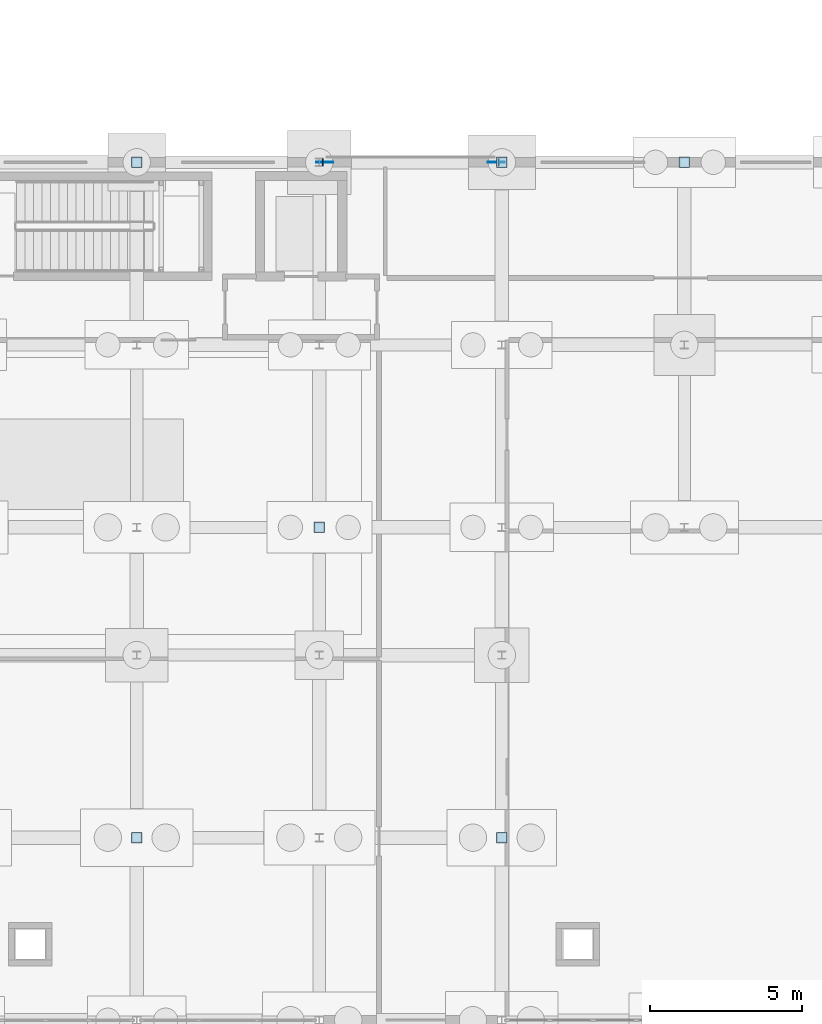
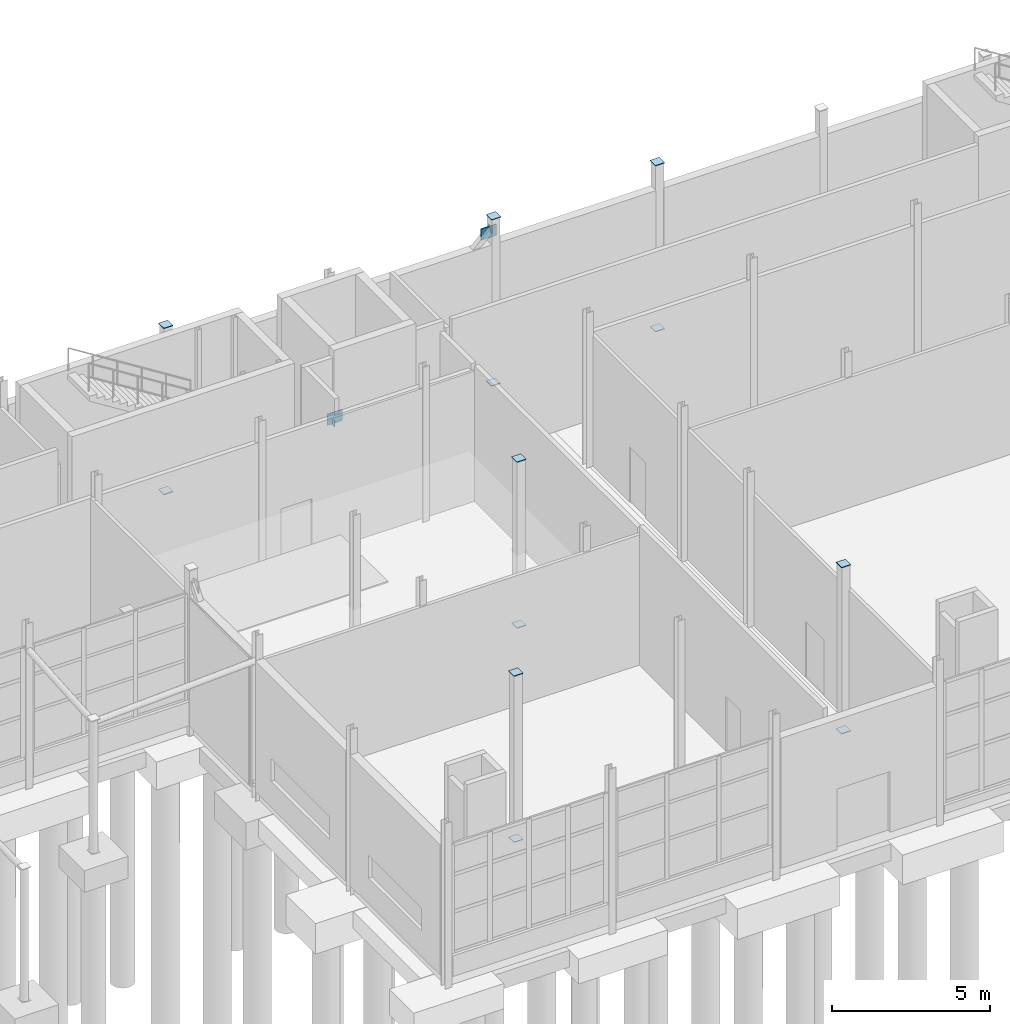
# One storey, part 88 of 120: 16 plates.
"""IFC4 building model written with IfcOpenShell, lengths in metres."""

from ifc_helpers import new_model, si_unit, direction, frame, origin, origin_2d, place, context, subcontext, project, spatial, rectangle, extrude, material, layer, layer_set, type_object, element, save


model = new_model("IFC4")

# Units and contexts
model_context = context("Model", 3, precision=1e-05, world=origin(), true_north=direction((0.0, 1.0)))
body_context = subcontext(model_context, "Body", "Model", "MODEL_VIEW")
ifc_project = project(units=[si_unit("LENGTHUNIT", "METRE"), si_unit("AREAUNIT", "SQUARE_METRE"), si_unit("VOLUMEUNIT", "CUBIC_METRE"), si_unit("PLANEANGLEUNIT", "RADIAN"), si_unit("MASSUNIT", "GRAM", prefix="KILO")], contexts=[model_context])

# Site, building, storey
site_placement = place(None, origin())
site = spatial("IfcSite", under=ifc_project, at=site_placement, CompositionType="ELEMENT")
building_placement = place(site_placement, origin())
building = spatial("IfcBuilding", under=site, at=building_placement, Name="Siltcreek Boulevard Central Fire Station", CompositionType="ELEMENT")
storey_placement = place(building_placement, origin())
storey = spatial("IfcBuildingStorey", under=building, at=storey_placement, Name="L01", CompositionType="ELEMENT", Elevation=0.0)

# Plates
ifc_material = material(Name="Structural steel ASTM A572 Gr50", Category="steel")
ifc_layer_1 = layer(ifc_material, 0.02490234375, Name="Structural steel ASTM A572 Gr50")
ifc_layer_set_1 = layer_set([ifc_layer_1], Name="Structural steel ASTM A572 Gr50")
plate_type_1 = type_object("IfcPlateType", Name="PL_CAP25", PredefinedType="USERDEFINED", material=ifc_layer_set_1)
for number, where, z_axis, x_axis, name in (
    (1, (130.199951171875, 7.800048828125, -0.432861328125), (0.0, 0.0, 1.0), (1.0, 0.0, 0.0), "L01 structural column COLG-L01-1302-78 sealed end cap 1"),
    (2, (130.199951171875, 7.800048828125, 5.998046875), (0.0, 0.0, 1.0), (1.0, 0.0, 0.0), "L01 structural column COLG-L01-1302-78 sealed end cap 2"),
    (3, (130.199951171875, 30.0, -0.432861328125), (0.0, 0.0, 1.0), (1.0, 0.0, 0.0), "L01 structural column COLG-L01-1302-300 sealed end cap 1"),
    (4, (130.199951171875, 30.0, 5.998046875), (0.0, 0.0, 1.0), (1.0, 0.0, 0.0), "L01 structural column COLG-L01-1302-300 sealed end cap 2"),
    (5, (136.199951171875, 18.0, -0.432861328125), (0.0, 0.0, 1.0), (1.0, 0.0, 0.0), "L01 structural column COLG-L01-1362-180 sealed end cap 1"),
    (6, (136.199951171875, 18.0, 5.998046875), (0.0, 0.0, 1.0), (1.0, 0.0, 0.0), "L01 structural column COLG-L01-1362-180 sealed end cap 2"),
    (7, (142.199951171875, 7.800048828125, -0.432861328125), (0.0, 0.0, 1.0), (1.0, 0.0, 0.0), "L01 structural column COLG-L01-1422-78 sealed end cap 1"),
    (8, (142.199951171875, 7.800048828125, 5.998046875), (0.0, 0.0, 1.0), (1.0, 0.0, 0.0), "L01 structural column COLG-L01-1422-78 sealed end cap 2"),
    (9, (142.199951171875, 30.0, -0.432861328125), (0.0, 0.0, 1.0), (1.0, 0.0, 0.0), "L01 structural column COLG-L01-1422-300 sealed end cap 1"),
    (10, (142.199951171875, 30.0, 5.998046875), (0.0, 0.0, 1.0), (1.0, 0.0, 0.0), "L01 structural column COLG-L01-1422-300 sealed end cap 2"),
    (11, (148.199951171875, 30.0, -0.432861328125), (0.0, 0.0, 1.0), (1.0, 0.0, 0.0), "L01 structural column COLG-L01-1482-300 sealed end cap 1"),
    (12, (148.199951171875, 30.0, 5.998046875), (0.0, 0.0, 1.0), (1.0, 0.0, 0.0), "L01 structural column COLG-L01-1482-300 sealed end cap 2"),
):
    element("IfcPlate", number, at=place(storey_placement, frame(where, z_axis=z_axis, x_axis=x_axis)), inside=storey, type_object=plate_type_1, Name=name, ObjectType="END CAP", PredefinedType="USERDEFINED", context=body_context, shape_type="SweptSolid", body=[
        extrude(rectangle(XDim=0.340087890625, YDim=0.340087890625, at=origin_2d()), origin(), (0.0, 0.0, 1.0), 0.02490234375),
    ])
for number, where, z_axis, x_axis, name in (
    (13, (136.3125, 30.0, -0.02734375), (0.0, 0.0, 1.0), (1.0, 0.0, 0.0), "L01 buckling-restrained brace BR-039 sealed end cap 1"),
    (14, (142.087646484375, 30.0, 5.43701171875), (0.0, 0.0, 1.0), (1.0, 0.0, 0.0), "L01 buckling-restrained brace BR-039 sealed end cap 2"),
):
    element("IfcPlate", number, at=place(storey_placement, frame(where, z_axis=z_axis, x_axis=x_axis)), inside=storey, type_object=plate_type_1, Name=name, ObjectType="END CAP", PredefinedType="USERDEFINED", context=body_context, shape_type="SweptSolid", body=[
        extrude(rectangle(XDim=0.02490234375, YDim=0.239990234375, at=origin_2d()), origin(), (0.0, 0.0, 1.0), 0.239990234375),
    ])
ifc_layer_2 = layer(ifc_material, 0.02197265625, Name="Structural steel ASTM A572 Gr50")
ifc_layer_set_2 = layer_set([ifc_layer_2], Name="Structural steel ASTM A572 Gr50")
plate_type_2 = type_object("IfcPlateType", Name="PL_GUS22", PredefinedType="USERDEFINED", material=ifc_layer_set_2)
plate_1_placement = place(storey_placement, frame((136.3798828125, 30.0, 0.030029296875), z_axis=(0.0, 0.0, 1.0), x_axis=(1.0, 0.0, 0.0)))
element("IfcPlate", 15, at=plate_1_placement, inside=storey, type_object=plate_type_2, Name="Seismic brace bot gusset plate GP-111", ObjectType="GUSSET PLATE", PredefinedType="USERDEFINED", context=body_context, shape_type="SweptSolid", body=[
    extrude(rectangle(XDim=0.56005859375, YDim=0.02197265625, at=origin_2d()), origin(), (0.0, 0.0, 1.0), 0.43994140625),
])
ifc_layer_3 = layer(ifc_material, 0.028076171875, Name="Structural steel ASTM A572 Gr50")
ifc_layer_set_3 = layer_set([ifc_layer_3], Name="Structural steel ASTM A572 Gr50")
plate_type_3 = type_object("IfcPlateType", Name="PL_GUS28", PredefinedType="USERDEFINED", material=ifc_layer_set_3)
plate_2_placement = place(storey_placement, frame((142.02001953125, 30.0, 5.22998046875), z_axis=(0.0, 0.0, 1.0), x_axis=(1.0, 0.0, 0.0)))
element("IfcPlate", 16, at=plate_2_placement, inside=storey, type_object=plate_type_3, Name="Seismic brace top gusset plate GP-112", ObjectType="GUSSET PLATE", PredefinedType="USERDEFINED", context=body_context, shape_type="SweptSolid", body=[
    extrude(rectangle(XDim=0.56005859375, YDim=0.028076171875, at=origin_2d()), origin(), (0.0, 0.0, 1.0), 0.43994140625),
])

save(model, "model.ifc")
